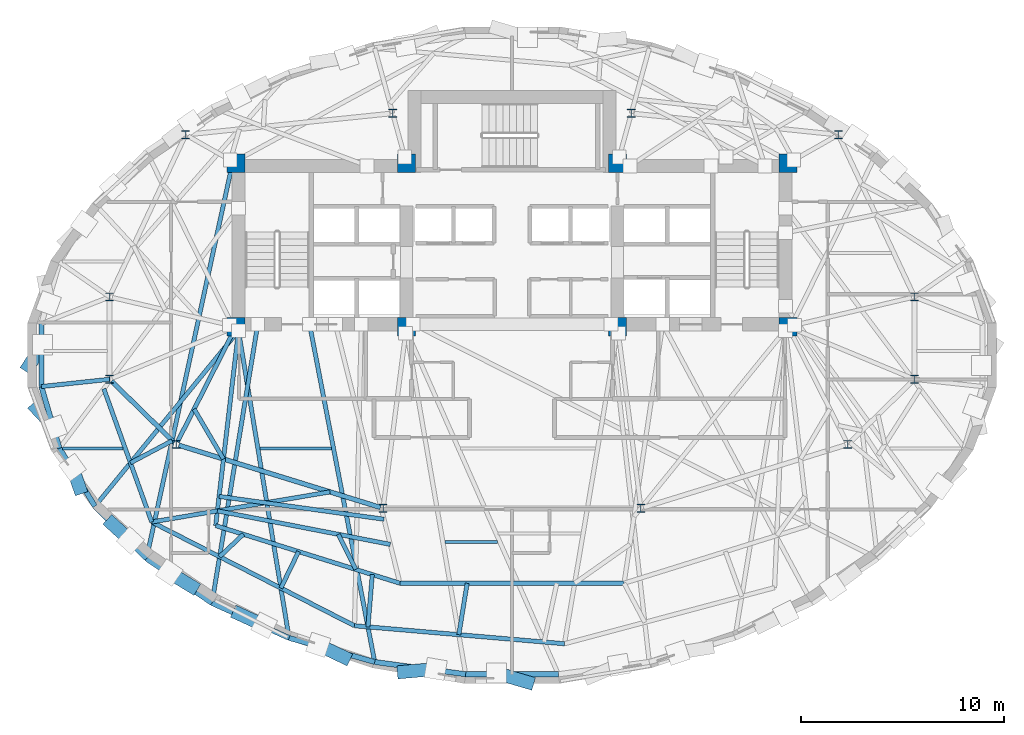
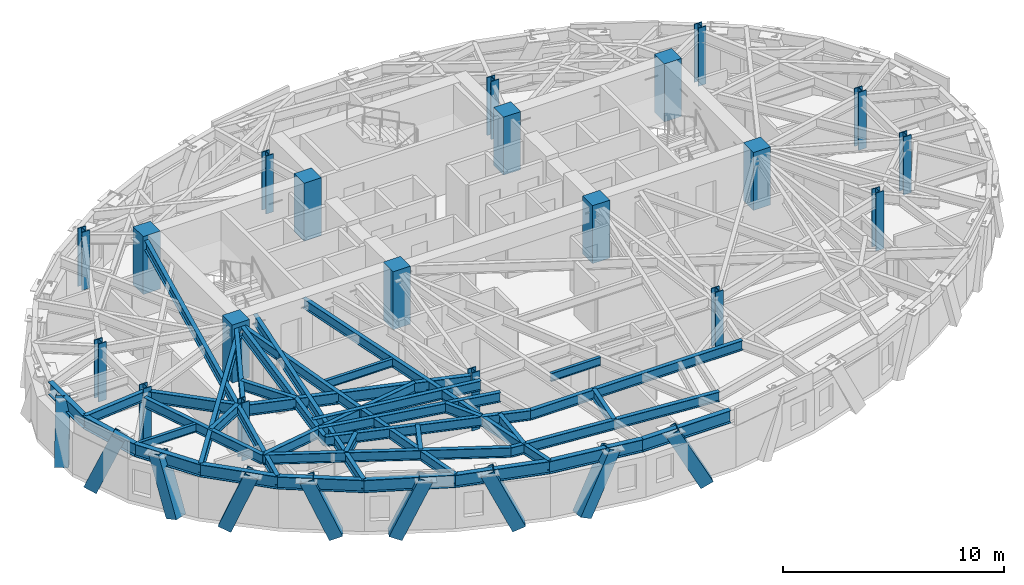
# One storey, part 1 of 12: 37 beams, 20 columns, 9 members.
"""IFC4 building model written with IfcOpenShell, lengths in metres."""

from ifc_helpers import new_model, si_unit, direction, frame, origin, origin_2d, place, context, subcontext, project, spatial, rectangle, hollow_rectangle, i_section, extrude, material, material_profile, profile_set, type_object, element, save


model = new_model("IFC4")

# Units and contexts
model_context = context("Model", 3, precision=1e-05, world=origin(), true_north=direction((0.0, 1.0)))
body_context = subcontext(model_context, "Body", "Model", "MODEL_VIEW")
ifc_project = project(units=[si_unit("LENGTHUNIT", "METRE"), si_unit("AREAUNIT", "SQUARE_METRE"), si_unit("VOLUMEUNIT", "CUBIC_METRE"), si_unit("PLANEANGLEUNIT", "RADIAN"), si_unit("MASSUNIT", "GRAM", prefix="KILO")], contexts=[model_context])

# Site, building, storey
site_placement = place(None, origin())
site = spatial("IfcSite", under=ifc_project, at=site_placement, CompositionType="ELEMENT")
building_placement = place(site_placement, origin())
building = spatial("IfcBuilding", under=site, at=building_placement, Name="Keldmark Tower", CompositionType="ELEMENT")
storey_placement = place(building_placement, frame((0.0, 0.0, 198.199951171875)))
storey = spatial("IfcBuildingStorey", under=building, at=storey_placement, Name="L55", CompositionType="ELEMENT", Elevation=198.199951171875)

# Columns
ifc_material_1 = material(Name="Concrete C50/60", Category="concrete")
ifc_material_profile_1 = material_profile(ifc_material_1, rectangle(XDim=0.89990234375, YDim=0.89990234375, at=origin_2d()), Name="RC900X900")
ifc_profile_set_1 = profile_set([ifc_material_profile_1], Name="Concrete C50/60")
column_type_1 = type_object("IfcColumnType", Name="Core Boundary Column RC900", PredefinedType="COLUMN", material=ifc_profile_set_1)
for number, where, z_axis, x_axis, name in (
    (1, (-13.60009765625, 1.39990234375, 0.0), (0.0, 0.0, 1.0), (1.0, 0.0, 0.0), "L55 Core Boundary Column CC-W1"),
    (2, (-13.60009765625, 9.449951171875, 0.0), (0.0, 0.0, 1.0), (1.0, 0.0, 0.0), "L55 Core Boundary Column CC-W2"),
    (3, (-5.199951171875, 1.39990234375, 0.0), (0.0, 0.0, 1.0), (1.0, 0.0, 0.0), "L55 Core Boundary Column CC-W3"),
    (4, (-5.199951171875, 9.449951171875, 0.0), (0.0, 0.0, 1.0), (1.0, 0.0, 0.0), "L55 Core Boundary Column CC-W4"),
    (5, (5.199951171875, 1.39990234375, 0.0), (0.0, 0.0, 1.0), (1.0, 0.0, 0.0), "L55 Core Boundary Column CC-E1"),
    (6, (5.199951171875, 9.449951171875, 0.0), (0.0, 0.0, 1.0), (1.0, 0.0, 0.0), "L55 Core Boundary Column CC-E2"),
    (7, (13.60009765625, 1.39990234375, 0.0), (0.0, 0.0, 1.0), (1.0, 0.0, 0.0), "L55 Core Boundary Column CC-E3"),
    (8, (13.60009765625, 9.449951171875, 0.0), (0.0, 0.0, 1.0), (1.0, 0.0, 0.0), "L55 Core Boundary Column CC-E4"),
):
    element("IfcColumn", number, at=place(storey_placement, frame(where, z_axis=z_axis, x_axis=x_axis)), inside=storey, type_object=column_type_1, Name=name, PredefinedType="COLUMN", context=body_context, shape_type="SweptSolid", body=[
        extrude(rectangle(XDim=0.89990234375, YDim=0.89990234375, at=origin_2d()), origin(), (0.0, 0.0, 1.0), 3.199951171875),
    ])
ifc_material_2 = material(Name="Steel ASTM A992 Grade 50", Category="steel")
ifc_material_profile_2 = material_profile(ifc_material_2, i_section(OverallWidth=0.404052734375, OverallDepth=0.406982421875, WebThickness=0.027099609375, FlangeThickness=0.043701171875, at=origin_2d()), Name="W14X233")
ifc_profile_set_2 = profile_set([ifc_material_profile_2], Name="Steel ASTM A992 Grade 50")
column_type_2 = type_object("IfcColumnType", Name="Tower Gravity Column W14X233", PredefinedType="COLUMN", material=ifc_profile_set_2)
for number, where, z_axis, x_axis, name in (
    (9, (19.828369140625, 2.869140625, 0.0), (0.0, 0.0, 1.0), (1.0, 0.0, 0.0), "L55 Tower Gravity Column TC-E1"),
    (10, (16.08154296875, 10.861083984375, 0.0), (0.0, 0.0, 1.0), (1.0, 0.0, 0.0), "L55 Tower Gravity Column TC-E4"),
    (11, (5.880126953125, 11.915283203125, 0.0), (0.0, 0.0, 1.0), (1.0, 0.0, 0.0), "L55 Tower Gravity Column TC-N2"),
    (12, (-5.880126953125, 11.915283203125, 0.0), (0.0, 0.0, 1.0), (1.0, 0.0, 0.0), "L55 Tower Gravity Column TC-N1"),
    (13, (-16.08154296875, 10.861083984375, 0.0), (0.0, 0.0, 1.0), (1.0, 0.0, 0.0), "L55 Tower Gravity Column TC-W4"),
    (14, (-19.828369140625, 2.869140625, 0.0), (0.0, 0.0, 1.0), (1.0, 0.0, 0.0), "L55 Tower Gravity Column TC-W1"),
    (15, (-19.828369140625, -1.189208984375, 0.0), (0.0, 0.0, 1.0), (1.0, 0.0, 0.0), "L55 Tower Gravity Column TC-W5"),
    (16, (-16.546630859375, -4.3984375, 0.0), (0.0, 0.0, 1.0), (1.0, 0.0, 0.0), "L55 Tower Gravity Column TC-W2"),
    (17, (-6.351318359375, -7.546142578125, 0.0), (0.0, 0.0, 1.0), (1.0, 0.0, 0.0), "L55 Tower Gravity Column TC-W3"),
    (18, (6.351318359375, -7.546142578125, 0.0), (0.0, 0.0, 1.0), (1.0, 0.0, 0.0), "L55 Tower Gravity Column TC-E3"),
    (19, (16.546630859375, -4.3984375, 0.0), (0.0, 0.0, 1.0), (1.0, 0.0, 0.0), "L55 Tower Gravity Column TC-E2"),
    (20, (19.828369140625, -1.189208984375, 0.0), (0.0, 0.0, 1.0), (1.0, 0.0, 0.0), "L55 Tower Gravity Column TC-E5"),
):
    element("IfcColumn", number, at=place(storey_placement, frame(where, z_axis=z_axis, x_axis=x_axis)), inside=storey, type_object=column_type_2, Name=name, PredefinedType="COLUMN", context=body_context, shape_type="SweptSolid", body=[
        extrude(i_section(OverallWidth=0.404052734375, OverallDepth=0.406982421875, WebThickness=0.027099609375, FlangeThickness=0.043701171875, at=origin_2d()), origin(), (0.0, 0.0, 1.0), 3.199951171875),
    ])

# Beams
ifc_material_3 = material(Name="Steel ASTM A992 Grade 50", Category="steel")
ifc_material_profile_3 = material_profile(ifc_material_3, i_section(OverallWidth=0.153076171875, OverallDepth=0.455078125, WebThickness=0.008056640625, FlangeThickness=0.01318359375, at=origin_2d()), Name="W18X40")
ifc_profile_set_3 = profile_set([ifc_material_profile_3], Name="Steel ASTM A992 Grade 50")
beam_type_1 = type_object("IfcBeamType", Name="Composite Floor Joist W18X40", PredefinedType="JOIST", material=ifc_profile_set_3)
beam_1_placement = place(storey_placement, frame((-3.310546875, -9.199951171875, 2.732666015625), z_axis=(1.0, 0.0, 0.0), x_axis=(0.0, 1.0, 0.0)))
element("IfcBeam", 21, at=beam_1_placement, inside=storey, type_object=beam_type_1, Name="L55 Composite Floor Joist J01", PredefinedType="JOIST", context=body_context, shape_type="SweptSolid", body=[
    extrude(i_section(OverallWidth=0.153076171875, OverallDepth=0.455078125, WebThickness=0.008056640625, FlangeThickness=0.01318359375, at=origin_2d()), origin(), (0.0, 0.0, 1.0), 2.60400390625),
])
beam_2_placement = place(storey_placement, frame((-22.148193359375, -4.60009765625, 2.732666015625), z_axis=(1.0, 0.0, 0.0), x_axis=(0.0, 1.0, 0.0)))
element("IfcBeam", 22, at=beam_2_placement, inside=storey, type_object=beam_type_1, Name="L55 Composite Floor Joist J03", PredefinedType="JOIST", context=body_context, shape_type="SweptSolid", body=[
    extrude(i_section(OverallWidth=0.153076171875, OverallDepth=0.455078125, WebThickness=0.008056640625, FlangeThickness=0.01318359375, at=origin_2d()), origin(), (0.0, 0.0, 1.0), 2.992431640625),
])
beam_3_placement = place(storey_placement, frame((-12.4228515625, -4.60009765625, 2.732666015625), z_axis=(1.0, 0.0, 0.0), x_axis=(0.0, 1.0, 0.0)))
element("IfcBeam", 23, at=beam_3_placement, inside=storey, type_object=beam_type_1, Name="L55 Composite Floor Joist J04", PredefinedType="JOIST", context=body_context, shape_type="SweptSolid", body=[
    extrude(i_section(OverallWidth=0.153076171875, OverallDepth=0.455078125, WebThickness=0.008056640625, FlangeThickness=0.01318359375, at=origin_2d()), origin(), (0.0, 0.0, 1.0), 3.53173828125),
])

# Members
ifc_material_4 = material(Name="Steel ASTM A572 Grade 50", Category="steel")
ifc_material_profile_4 = material_profile(ifc_material_4, hollow_rectangle(XDim=0.64990234375, YDim=0.64990234375, WallThickness=0.0400390625, at=origin_2d()), Name="BOX650X650X40")
ifc_profile_set_4 = profile_set([ifc_material_profile_4], Name="Steel ASTM A572 Grade 50")
member_type = type_object("IfcMemberType", Name="Diagrid Zone 3 Brace BOX650X650X40", PredefinedType="BRACE", material=ifc_profile_set_4)
member_1_placement = place(storey_placement, frame((-23.8046875, -0.537109375, -0.260009765625), z_axis=(0.202461489858, 0.313446333992, 0.927771922851), x_axis=(-0.840005912308, 0.542577245456, 0.0)))
element("IfcMember", 24, at=member_1_placement, inside=storey, type_object=member_type, Name="L55 Perimeter Diagrid Brace 08B", PredefinedType="BRACE", context=body_context, shape_type="SweptSolid", body=[
    extrude(hollow_rectangle(XDim=0.64990234375, YDim=0.64990234375, WallThickness=0.0400390625, at=origin_2d()), origin(), (0.0, 0.0, 1.0), 3.341552734375),
])
member_2_placement = place(storey_placement, frame((-23.425048828125, -2.6142578125, -0.260009765625), z_axis=(0.264919918302, -0.283573183783, 0.921630992494), x_axis=(0.730731768361, 0.682664692736, 0.0)))
element("IfcMember", 25, at=member_2_placement, inside=storey, type_object=member_type, Name="L55 Perimeter Diagrid Brace 09A", PredefinedType="BRACE", context=body_context, shape_type="SweptSolid", body=[
    extrude(hollow_rectangle(XDim=0.64990234375, YDim=0.64990234375, WallThickness=0.0400390625, at=origin_2d()), origin(), (0.0, 0.0, 1.0), 3.36376953125),
])
member_3_placement = place(storey_placement, frame((-21.306396484375, -6.537109375, -0.260009765625), z_axis=(-0.106794323637, 0.309145380062, 0.944999527209), x_axis=(-0.945191482252, -0.32651655682, 0.0)))
element("IfcMember", 26, at=member_3_placement, inside=storey, type_object=member_type, Name="L55 Perimeter Diagrid Brace 09B", PredefinedType="BRACE", context=body_context, shape_type="SweptSolid", body=[
    extrude(hollow_rectangle(XDim=0.64990234375, YDim=0.64990234375, WallThickness=0.0400390625, at=origin_2d()), origin(), (0.0, 0.0, 1.0), 3.280517578125),
])
member_4_placement = place(storey_placement, frame((-19.718994140625, -8.29736328125, -0.260009765625), z_axis=(0.273935232909, -0.251344897449, 0.928323882434), x_axis=(0.67607183927, 0.736835713131, 0.0)))
element("IfcMember", 27, at=member_4_placement, inside=storey, type_object=member_type, Name="L55 Perimeter Diagrid Brace 10A", PredefinedType="BRACE", context=body_context, shape_type="SweptSolid", body=[
    extrude(hollow_rectangle(XDim=0.64990234375, YDim=0.64990234375, WallThickness=0.0400390625, at=origin_2d()), origin(), (0.0, 0.0, 1.0), 3.33935546875),
])
member_5_placement = place(storey_placement, frame((-15.75732421875, -11.40380859375, -0.260009765625), z_axis=(-0.335469878195, 0.204236842943, 0.919645188542), x_axis=(-0.520017145547, -0.854155822047, 0.0)))
element("IfcMember", 28, at=member_5_placement, inside=storey, type_object=member_type, Name="L55 Perimeter Diagrid Brace 10B", PredefinedType="BRACE", context=body_context, shape_type="SweptSolid", body=[
    extrude(hollow_rectangle(XDim=0.64990234375, YDim=0.64990234375, WallThickness=0.0400390625, at=origin_2d()), origin(), (0.0, 0.0, 1.0), 3.370849609375),
])
member_6_placement = place(storey_placement, frame((-13.467529296875, -12.740478515625, -0.260009765625), z_axis=(0.370117613048, -0.169124685768, 0.913460340231), x_axis=(0.41561353109, 0.909541308999, 0.0)))
element("IfcMember", 29, at=member_6_placement, inside=storey, type_object=member_type, Name="L55 Perimeter Diagrid Brace 11A", PredefinedType="BRACE", context=body_context, shape_type="SweptSolid", body=[
    extrude(hollow_rectangle(XDim=0.64990234375, YDim=0.64990234375, WallThickness=0.0400390625, at=origin_2d()), origin(), (0.0, 0.0, 1.0), 3.393798828125),
])
member_7_placement = place(storey_placement, frame((-8.252685546875, -14.892578125, -0.260009765625), z_axis=(-0.379356211137, 0.180315697192, 0.907510393559), x_axis=(-0.429292808438, -0.903165369477, 0.0)))
element("IfcMember", 30, at=member_7_placement, inside=storey, type_object=member_type, Name="L55 Perimeter Diagrid Brace 11B", PredefinedType="BRACE", context=body_context, shape_type="SweptSolid", body=[
    extrude(hollow_rectangle(XDim=0.64990234375, YDim=0.64990234375, WallThickness=0.0400390625, at=origin_2d()), origin(), (0.0, 0.0, 1.0), 3.416015625),
])
member_8_placement = place(storey_placement, frame((-5.36181640625, -15.60693359375, -0.260009765625), z_axis=(0.45871670999, 0.040614813853, 0.887653883488), x_axis=(-0.088195058336, 0.996103223409, 0.0)))
element("IfcMember", 31, at=member_8_placement, inside=storey, type_object=member_type, Name="L55 Perimeter Diagrid Brace 12A", PredefinedType="BRACE", context=body_context, shape_type="SweptSolid", body=[
    extrude(hollow_rectangle(XDim=0.64990234375, YDim=0.64990234375, WallThickness=0.0400390625, at=origin_2d()), origin(), (0.0, 0.0, 1.0), 3.492431640625),
])
member_9_placement = place(storey_placement, frame((0.789306640625, -16.119384765625, -0.260009765625), z_axis=(-0.442172343698, 0.13026857099, 0.887419696582), x_axis=(-0.282601329216, -0.95923745169, 0.0)))
element("IfcMember", 32, at=member_9_placement, inside=storey, type_object=member_type, Name="L55 Perimeter Diagrid Brace 12B", PredefinedType="BRACE", context=body_context, shape_type="SweptSolid", body=[
    extrude(hollow_rectangle(XDim=0.64990234375, YDim=0.64990234375, WallThickness=0.0400390625, at=origin_2d()), origin(), (0.0, 0.0, 1.0), 3.493408203125),
])

# Beams
ifc_material_5 = material(Name="Steel ASTM A992 Grade 50", Category="steel")
ifc_material_profile_5 = material_profile(ifc_material_5, i_section(OverallWidth=0.22900390625, OverallDepth=0.612060546875, WebThickness=0.011962890625, FlangeThickness=0.01953125, at=origin_2d()), Name="W24X84")
ifc_profile_set_5 = profile_set([ifc_material_profile_5], Name="Steel ASTM A992 Grade 50")
beam_type_2 = type_object("IfcBeamType", Name="Primary Floor Girder W24X84", PredefinedType="BEAM", material=ifc_profile_set_5)
beam_4_placement = place(storey_placement, frame((-19.728271484375, -1.287109375, 2.654052734375), z_axis=(0.714964509815, -0.699160746684, 0.0), x_axis=(0.699160746684, 0.714964509815, 0.0)))
element("IfcBeam", 33, at=beam_4_placement, inside=storey, type_object=beam_type_2, Name="L55 Floor Ring Girder FG-R07", PredefinedType="BEAM", context=body_context, shape_type="SweptSolid", body=[
    extrude(i_section(OverallWidth=0.22900390625, OverallDepth=0.612060546875, WebThickness=0.011962890625, FlangeThickness=0.01953125, at=origin_2d()), origin(), (0.0, 0.0, 1.0), 4.31005859375),
])
beam_5_placement = place(storey_placement, frame((-16.412841796875, -4.439697265625, 2.654052734375), z_axis=(0.955494563145, -0.295008711398, 0.0), x_axis=(0.295008711398, 0.955494563145, 0.0)))
element("IfcBeam", 34, at=beam_5_placement, inside=storey, type_object=beam_type_2, Name="L55 Floor Ring Girder FG-R08", PredefinedType="BEAM", context=body_context, shape_type="SweptSolid", body=[
    extrude(i_section(OverallWidth=0.22900390625, OverallDepth=0.612060546875, WebThickness=0.011962890625, FlangeThickness=0.01953125, at=origin_2d()), origin(), (0.0, 0.0, 1.0), 10.39013671875),
])
ifc_material_6 = material(Name="Steel ASTM A992 Grade 50", Category="steel")
ifc_material_profile_6 = material_profile(ifc_material_6, i_section(OverallWidth=0.2099609375, OverallDepth=0.537109375, WebThickness=0.010986328125, FlangeThickness=0.017333984375, at=origin_2d()), Name="W21X68")
ifc_profile_set_6 = profile_set([ifc_material_profile_6], Name="Steel ASTM A992 Grade 50")
beam_type_3 = type_object("IfcBeamType", Name="Radial Tie Girder W21X68", PredefinedType="BEAM", material=ifc_profile_set_6)
beam_6_placement = place(storey_placement, frame((-16.4833984375, -4.273681640625, 2.691650390625), z_axis=(0.453036691775, 0.891491870914, 0.0), x_axis=(-0.891491870914, 0.453036691775, 0.0)))
element("IfcBeam", 35, at=beam_6_placement, inside=storey, type_object=beam_type_3, Name="L55 Floor Radial Girder FG-C08", PredefinedType="BEAM", context=body_context, shape_type="SweptSolid", body=[
    extrude(i_section(OverallWidth=0.2099609375, OverallDepth=0.537109375, WebThickness=0.010986328125, FlangeThickness=0.017333984375, at=origin_2d()), origin(), (0.0, 0.0, 1.0), 6.044189453125),
])
beam_7_placement = place(storey_placement, frame((-15.661865234375, -2.6572265625, 2.691650390625), z_axis=(0.506739777722, -0.862099064884, 0.0), x_axis=(0.862099064884, 0.506739777722, 0.0)))
element("IfcBeam", 36, at=beam_7_placement, inside=storey, type_object=beam_type_3, Name="L55 Framing Pin Header PH-001", PredefinedType="BEAM", context=body_context, shape_type="SweptSolid", body=[
    extrude(i_section(OverallWidth=0.2099609375, OverallDepth=0.537109375, WebThickness=0.010986328125, FlangeThickness=0.017333984375, at=origin_2d()), origin(), (0.0, 0.0, 1.0), 2.8544921875),
])
beam_8_placement = place(storey_placement, frame((-13.47509765625, 1.199951171875, 2.691650390625), z_axis=(-0.1163811046, -0.993204630724, 0.0), x_axis=(0.993204630724, -0.1163811046, 0.0)))
element("IfcBeam", 37, at=beam_8_placement, inside=storey, type_object=beam_type_3, Name="L55 Sub-Ring Step Girder STP1-M08", PredefinedType="BEAM", context=body_context, shape_type="SweptSolid", body=[
    extrude(i_section(OverallWidth=0.2099609375, OverallDepth=0.537109375, WebThickness=0.010986328125, FlangeThickness=0.017333984375, at=origin_2d()), origin(), (0.0, 0.0, 1.0), 9.66650390625),
])
beam_9_placement = place(storey_placement, frame((-14.431396484375, -6.960693359375, 2.691650390625), z_axis=(0.990567280551, -0.13702723343, 0.0), x_axis=(0.13702723343, 0.990567280551, 0.0)))
element("IfcBeam", 38, at=beam_9_placement, inside=storey, type_object=beam_type_3, Name="L55 Framing Pin Header PH-002", PredefinedType="BEAM", context=body_context, shape_type="SweptSolid", body=[
    extrude(i_section(OverallWidth=0.2099609375, OverallDepth=0.537109375, WebThickness=0.010986328125, FlangeThickness=0.017333984375, at=origin_2d()), origin(), (0.0, 0.0, 1.0), 8.201171875),
])
beam_10_placement = place(storey_placement, frame((-14.60009765625, -8.40087890625, 2.691650390625), z_axis=(0.954455767336, -0.298352456331, 0.0), x_axis=(0.298352456331, 0.954455767336, 0.0)))
element("IfcBeam", 39, at=beam_10_placement, inside=storey, type_object=beam_type_3, Name="L55 Perimeter Collector Ring Beam CRG1-M08", PredefinedType="BEAM", context=body_context, shape_type="SweptSolid", body=[
    extrude(i_section(OverallWidth=0.2099609375, OverallDepth=0.537109375, WebThickness=0.010986328125, FlangeThickness=0.017333984375, at=origin_2d()), origin(), (0.0, 0.0, 1.0), 9.510986328125),
])
beam_11_placement = place(storey_placement, frame((-5.522216796875, -11.238525390625, 2.691650390625), z_axis=(1.0, 0.0, 0.0), x_axis=(0.0, 1.0, 0.0)))
element("IfcBeam", 40, at=beam_11_placement, inside=storey, type_object=beam_type_3, Name="L55 Perimeter Collector Ring Beam CRG1-M09", PredefinedType="BEAM", context=body_context, shape_type="SweptSolid", body=[
    extrude(i_section(OverallWidth=0.2099609375, OverallDepth=0.537109375, WebThickness=0.010986328125, FlangeThickness=0.017333984375, at=origin_2d()), origin(), (0.0, 0.0, 1.0), 11.04443359375),
])
beam_12_placement = place(storey_placement, frame((-5.998779296875, -9.32421875, 2.691650390625), z_axis=(-0.981755452013, 0.190147922533, 0.0), x_axis=(-0.190147922533, -0.981755452013, 0.0)))
element("IfcBeam", 41, at=beam_12_placement, inside=storey, type_object=beam_type_3, Name="L55 Framing Pin Header PH-005", PredefinedType="BEAM", context=body_context, shape_type="SweptSolid", body=[
    extrude(i_section(OverallWidth=0.2099609375, OverallDepth=0.537109375, WebThickness=0.010986328125, FlangeThickness=0.017333984375, at=origin_2d()), origin(), (0.0, 0.0, 1.0), 8.67431640625),
])
beam_13_placement = place(storey_placement, frame((-8.967041015625, -6.738525390625, 2.691650390625), z_axis=(-0.986053346326, -0.166429559274, 0.0), x_axis=(0.166429559274, -0.986053346326, 0.0)))
element("IfcBeam", 42, at=beam_13_placement, inside=storey, type_object=beam_type_3, Name="L55 Sub-Ring Step Girder STP2-M08", PredefinedType="BEAM", context=body_context, shape_type="SweptSolid", body=[
    extrude(i_section(OverallWidth=0.2099609375, OverallDepth=0.537109375, WebThickness=0.010986328125, FlangeThickness=0.017333984375, at=origin_2d()), origin(), (0.0, 0.0, 1.0), 8.90869140625),
])
beam_14_placement = place(storey_placement, frame((-8.5537109375, -8.829345703125, 2.691650390625), z_axis=(0.443819741011, -0.896116084829, 0.0), x_axis=(0.896116084829, 0.443819741011, 0.0)))
element("IfcBeam", 43, at=beam_14_placement, inside=storey, type_object=beam_type_3, Name="L55 Framing Pin Header PH-006", PredefinedType="BEAM", context=body_context, shape_type="SweptSolid", body=[
    extrude(i_section(OverallWidth=0.2099609375, OverallDepth=0.537109375, WebThickness=0.010986328125, FlangeThickness=0.017333984375, at=origin_2d()), origin(), (0.0, 0.0, 1.0), 1.9296875),
])
beam_15_placement = place(storey_placement, frame((-17.75146484375, -8.22119140625, 2.691650390625), z_axis=(0.890229496197, -0.45551228754, 0.0), x_axis=(0.45551228754, 0.890229496197, 0.0)))
element("IfcBeam", 44, at=beam_15_placement, inside=storey, type_object=beam_type_3, Name="L55 Perimeter Collector Ring Beam CRG2-M08", PredefinedType="BEAM", context=body_context, shape_type="SweptSolid", body=[
    extrude(i_section(OverallWidth=0.2099609375, OverallDepth=0.537109375, WebThickness=0.010986328125, FlangeThickness=0.017333984375, at=origin_2d()), origin(), (0.0, 0.0, 1.0), 11.2236328125),
])
beam_16_placement = place(storey_placement, frame((-7.759765625, -13.333740234375, 2.691650390625), z_axis=(0.99634504792, -0.085419819046, 0.0), x_axis=(0.085419819046, 0.99634504792, 0.0)))
element("IfcBeam", 45, at=beam_16_placement, inside=storey, type_object=beam_type_3, Name="L55 Perimeter Collector Ring Beam CRG2-M09", PredefinedType="BEAM", context=body_context, shape_type="SweptSolid", body=[
    extrude(i_section(OverallWidth=0.2099609375, OverallDepth=0.537109375, WebThickness=0.010986328125, FlangeThickness=0.017333984375, at=origin_2d()), origin(), (0.0, 0.0, 1.0), 10.380615234375),
])
beam_17_placement = place(storey_placement, frame((-19.828369140625, -1.189208984375, 2.691650390625), z_axis=(-0.994326636507, -0.106369826231, 0.0), x_axis=(0.106369826231, -0.994326636507, 0.0)))
element("IfcBeam", 46, at=beam_17_placement, inside=storey, type_object=beam_type_3, Name="L55 Perimeter Column Bracket RT-17", PredefinedType="BEAM", context=body_context, shape_type="SweptSolid", body=[
    extrude(i_section(OverallWidth=0.2099609375, OverallDepth=0.537109375, WebThickness=0.010986328125, FlangeThickness=0.017333984375, at=origin_2d()), origin(), (0.0, 0.0, 1.0), 3.378662109375),
])
beam_18_placement = place(storey_placement, frame((-17.75146484375, -8.22119140625, 2.691650390625), z_axis=(-0.338309160932, 0.941035021468, 0.0), x_axis=(-0.941035021468, -0.338309160932, 0.0)))
element("IfcBeam", 47, at=beam_18_placement, inside=storey, type_object=beam_type_3, Name="L55 Framing Pin Header PH-018", PredefinedType="BEAM", context=body_context, shape_type="SweptSolid", body=[
    extrude(i_section(OverallWidth=0.2099609375, OverallDepth=0.537109375, WebThickness=0.010986328125, FlangeThickness=0.017333984375, at=origin_2d()), origin(), (0.0, 0.0, 1.0), 6.974853515625),
])
beam_19_placement = place(storey_placement, frame((-13.800048828125, 9.324951171875, 2.691650390625), z_axis=(-0.212659470403, -0.977126373428, 0.0), x_axis=(0.977126373428, -0.212659470403, 0.0)))
element("IfcBeam", 48, at=beam_19_placement, inside=storey, type_object=beam_type_3, Name="L55 Perimeter Radial Tie Girder RT-20", PredefinedType="BEAM", context=body_context, shape_type="SweptSolid", body=[
    extrude(i_section(OverallWidth=0.2099609375, OverallDepth=0.537109375, WebThickness=0.010986328125, FlangeThickness=0.017333984375, at=origin_2d()), origin(), (0.0, 0.0, 1.0), 19.80126953125),
])
beam_20_placement = place(storey_placement, frame((-13.23828125, -8.826416015625, 2.691650390625), z_axis=(-0.72618788094, -0.687496299318, 0.0), x_axis=(0.687496299318, -0.72618788094, 0.0)))
element("IfcBeam", 49, at=beam_20_placement, inside=storey, type_object=beam_type_3, Name="L55 Framing Pin Header PH-019", PredefinedType="BEAM", context=body_context, shape_type="SweptSolid", body=[
    extrude(i_section(OverallWidth=0.2099609375, OverallDepth=0.537109375, WebThickness=0.010986328125, FlangeThickness=0.017333984375, at=origin_2d()), origin(), (0.0, 0.0, 1.0), 1.609130859375),
])
beam_21_placement = place(storey_placement, frame((-12.52490234375, 1.52490234375, 2.691650390625), z_axis=(-0.162080998635, -0.986777457121, 0.0), x_axis=(0.986777457121, -0.162080998635, 0.0)))
element("IfcBeam", 50, at=beam_21_placement, inside=storey, type_object=beam_type_3, Name="L55 Perimeter Radial Tie Girder RT-21", PredefinedType="BEAM", context=body_context, shape_type="SweptSolid", body=[
    extrude(i_section(OverallWidth=0.2099609375, OverallDepth=0.537109375, WebThickness=0.010986328125, FlangeThickness=0.017333984375, at=origin_2d()), origin(), (0.0, 0.0, 1.0), 13.922607421875),
])
beam_22_placement = place(storey_placement, frame((-10.514892578125, -9.677734375, 2.691650390625), z_axis=(-0.436489119466, -0.899709535677, 0.0), x_axis=(0.899709535677, -0.436489119466, 0.0)))
element("IfcBeam", 51, at=beam_22_placement, inside=storey, type_object=beam_type_3, Name="L55 Framing Pin Header PH-020", PredefinedType="BEAM", context=body_context, shape_type="SweptSolid", body=[
    extrude(i_section(OverallWidth=0.2099609375, OverallDepth=0.537109375, WebThickness=0.010986328125, FlangeThickness=0.017333984375, at=origin_2d()), origin(), (0.0, 0.0, 1.0), 2.000244140625),
])
beam_23_placement = place(storey_placement, frame((-13.47509765625, 1.199951171875, 2.691650390625), z_axis=(0.162452448919, -0.986716373554, 0.0), x_axis=(0.986716373554, 0.162452448919, 0.0)))
element("IfcBeam", 52, at=beam_23_placement, inside=storey, type_object=beam_type_3, Name="L55 Perimeter Radial Tie Girder RT-22", PredefinedType="BEAM", context=body_context, shape_type="SweptSolid", body=[
    extrude(i_section(OverallWidth=0.2099609375, OverallDepth=0.537109375, WebThickness=0.010986328125, FlangeThickness=0.017333984375, at=origin_2d()), origin(), (0.0, 0.0, 1.0), 15.338134765625),
])
beam_24_placement = place(storey_placement, frame((-6.8837890625, -10.81298828125, 2.691650390625), z_axis=(-0.082498644489, -0.996591176791, 0.0), x_axis=(0.996591176791, -0.082498644489, 0.0)))
element("IfcBeam", 53, at=beam_24_placement, inside=storey, type_object=beam_type_3, Name="L55 Framing Pin Header PH-021", PredefinedType="BEAM", context=body_context, shape_type="SweptSolid", body=[
    extrude(i_section(OverallWidth=0.2099609375, OverallDepth=0.537109375, WebThickness=0.010986328125, FlangeThickness=0.017333984375, at=origin_2d()), origin(), (0.0, 0.0, 1.0), 2.58642578125),
])
beam_25_placement = place(storey_placement, frame((-9.97509765625, 1.52490234375, 2.691650390625), z_axis=(0.189447775814, -0.981890798531, 0.0), x_axis=(0.981890798531, 0.189447775814, 0.0)))
element("IfcBeam", 54, at=beam_25_placement, inside=storey, type_object=beam_type_3, Name="L55 Perimeter Radial Tie Girder RT-23", PredefinedType="BEAM", context=body_context, shape_type="SweptSolid", body=[
    extrude(i_section(OverallWidth=0.2099609375, OverallDepth=0.537109375, WebThickness=0.010986328125, FlangeThickness=0.017333984375, at=origin_2d()), origin(), (0.0, 0.0, 1.0), 16.951416015625),
])
beam_26_placement = place(storey_placement, frame((-2.208984375, -11.238525390625, 2.691650390625), z_axis=(-0.159850914059, -0.987141167855, 0.0), x_axis=(0.987141167855, -0.159850914059, 0.0)))
element("IfcBeam", 55, at=beam_26_placement, inside=storey, type_object=beam_type_3, Name="L55 Framing Pin Header PH-022", PredefinedType="BEAM", context=body_context, shape_type="SweptSolid", body=[
    extrude(i_section(OverallWidth=0.2099609375, OverallDepth=0.537109375, WebThickness=0.010986328125, FlangeThickness=0.017333984375, at=origin_2d()), origin(), (0.0, 0.0, 1.0), 2.56884765625),
])
beam_27_placement = place(storey_placement, frame((-16.747802734375, -4.218994140625, 2.691650390625), z_axis=(-0.883137498272, -0.469114228249, 0.0), x_axis=(0.469114228249, -0.883137498272, 0.0)))
element("IfcBeam", 56, at=beam_27_placement, inside=storey, type_object=beam_type_3, Name="L55 Framing Pin Header PH-031", PredefinedType="BEAM", context=body_context, shape_type="SweptSolid", body=[
    extrude(i_section(OverallWidth=0.2099609375, OverallDepth=0.537109375, WebThickness=0.010986328125, FlangeThickness=0.017333984375, at=origin_2d()), origin(), (0.0, 0.0, 1.0), 2.322265625),
])
beam_28_placement = place(storey_placement, frame((-13.47509765625, 1.199951171875, 2.691650390625), z_axis=(-0.633137828622, -0.77403907522, 0.0), x_axis=(0.77403907522, -0.633137828622, 0.0)))
element("IfcBeam", 57, at=beam_28_placement, inside=storey, type_object=beam_type_3, Name="L55 Perimeter Radial Tie Girder RT-19R", PredefinedType="BEAM", context=body_context, shape_type="SweptSolid", body=[
    extrude(i_section(OverallWidth=0.2099609375, OverallDepth=0.537109375, WebThickness=0.010986328125, FlangeThickness=0.017333984375, at=origin_2d()), origin(), (0.0, 0.0, 1.0), 11.172607421875),
])
ifc_material_7 = material(Name="Steel ASTM A992 Grade 50", Category="steel")
ifc_material_profile_7 = material_profile(ifc_material_7, i_section(OverallWidth=0.256103515625, OverallDepth=0.693115234375, WebThickness=0.014404296875, FlangeThickness=0.023681640625, at=origin_2d()), Name="W27X114")
ifc_profile_set_7 = profile_set([ifc_material_profile_7], Name="Steel ASTM A992 Grade 50")
beam_type_4 = type_object("IfcBeamType", Name="Spandrel Ring Beam W27X114", PredefinedType="SPANDREL", material=ifc_profile_set_7)
beam_29_placement = place(storey_placement, frame((-23.187744140625, 1.548583984375, 2.613525390625), z_axis=(0.0, -1.0, 0.0), x_axis=(1.0, 0.0, 0.0)))
element("IfcBeam", 58, at=beam_29_placement, inside=storey, type_object=beam_type_4, Name="L55 Perimeter Spandrel Ring Beam SRB-16", PredefinedType="SPANDREL", context=body_context, shape_type="SweptSolid", body=[
    extrude(i_section(OverallWidth=0.256103515625, OverallDepth=0.693115234375, WebThickness=0.014404296875, FlangeThickness=0.023681640625, at=origin_2d()), origin(), (0.0, 0.0, 1.0), 3.09716796875),
])
beam_30_placement = place(storey_placement, frame((-23.187744140625, -1.548583984375, 2.613525390625), z_axis=(0.281477355005, -0.959567870773, 0.0), x_axis=(0.959567870773, 0.281477355005, 0.0)))
element("IfcBeam", 59, at=beam_30_placement, inside=storey, type_object=beam_type_4, Name="L55 Perimeter Spandrel Ring Beam SRB-17", PredefinedType="SPANDREL", context=body_context, shape_type="SweptSolid", body=[
    extrude(i_section(OverallWidth=0.256103515625, OverallDepth=0.693115234375, WebThickness=0.014404296875, FlangeThickness=0.023681640625, at=origin_2d()), origin(), (0.0, 0.0, 1.0), 3.165771484375),
])
beam_31_placement = place(storey_placement, frame((-22.296630859375, -4.58642578125, 2.613525390625), z_axis=(0.521246781142, -0.853405995497, 0.0), x_axis=(0.853405995497, 0.521246781142, 0.0)))
element("IfcBeam", 60, at=beam_31_placement, inside=storey, type_object=beam_type_4, Name="L55 Perimeter Spandrel Ring Beam SRB-18", PredefinedType="SPANDREL", context=body_context, shape_type="SweptSolid", body=[
    extrude(i_section(OverallWidth=0.256103515625, OverallDepth=0.693115234375, WebThickness=0.014404296875, FlangeThickness=0.023681640625, at=origin_2d()), origin(), (0.0, 0.0, 1.0), 3.35302734375),
])
beam_32_placement = place(storey_placement, frame((-20.548828125, -7.447998046875, 2.613525390625), z_axis=(0.701888492814, -0.712286840855, 0.0), x_axis=(0.712286840855, 0.701888492814, 0.0)))
element("IfcBeam", 61, at=beam_32_placement, inside=storey, type_object=beam_type_4, Name="L55 Perimeter Spandrel Ring Beam SRB-19", PredefinedType="SPANDREL", context=body_context, shape_type="SweptSolid", body=[
    extrude(i_section(OverallWidth=0.256103515625, OverallDepth=0.693115234375, WebThickness=0.014404296875, FlangeThickness=0.023681640625, at=origin_2d()), origin(), (0.0, 0.0, 1.0), 3.61572265625),
])
beam_33_placement = place(storey_placement, frame((-18.010986328125, -10.0234375, 2.613525390625), z_axis=(0.827625248145, -0.5612810781, 0.0), x_axis=(0.5612810781, 0.827625248145, 0.0)))
element("IfcBeam", 62, at=beam_33_placement, inside=storey, type_object=beam_type_4, Name="L55 Perimeter Spandrel Ring Beam SRB-20", PredefinedType="SPANDREL", context=body_context, shape_type="SweptSolid", body=[
    extrude(i_section(OverallWidth=0.256103515625, OverallDepth=0.693115234375, WebThickness=0.014404296875, FlangeThickness=0.023681640625, at=origin_2d()), origin(), (0.0, 0.0, 1.0), 3.902099609375),
])
beam_34_placement = place(storey_placement, frame((-14.781494140625, -12.213623046875, 2.613525390625), z_axis=(0.910881102331, -0.412668895624, 0.0), x_axis=(0.412668895624, 0.910881102331, 0.0)))
element("IfcBeam", 63, at=beam_34_placement, inside=storey, type_object=beam_type_4, Name="L55 Perimeter Spandrel Ring Beam SRB-21", PredefinedType="SPANDREL", context=body_context, shape_type="SweptSolid", body=[
    extrude(i_section(OverallWidth=0.256103515625, OverallDepth=0.693115234375, WebThickness=0.014404296875, FlangeThickness=0.023681640625, at=origin_2d()), origin(), (0.0, 0.0, 1.0), 4.169677734375),
])
beam_35_placement = place(storey_placement, frame((-10.9833984375, -13.934326171875, 2.613525390625), z_axis=(0.962739808547, -0.270429401209, 0.0), x_axis=(0.270429401209, 0.962739808547, 0.0)))
element("IfcBeam", 64, at=beam_35_placement, inside=storey, type_object=beam_type_4, Name="L55 Perimeter Spandrel Ring Beam SRB-22", PredefinedType="SPANDREL", context=body_context, shape_type="SweptSolid", body=[
    extrude(i_section(OverallWidth=0.256103515625, OverallDepth=0.693115234375, WebThickness=0.014404296875, FlangeThickness=0.023681640625, at=origin_2d()), origin(), (0.0, 0.0, 1.0), 4.383056640625),
])
beam_36_placement = place(storey_placement, frame((-6.763671875, -15.11962890625, 2.613525390625), z_axis=(0.991026298245, -0.133667034777, 0.0), x_axis=(0.133667034777, 0.991026298245, 0.0)))
element("IfcBeam", 65, at=beam_36_placement, inside=storey, type_object=beam_type_4, Name="L55 Perimeter Spandrel Ring Beam SRB-23", PredefinedType="SPANDREL", context=body_context, shape_type="SweptSolid", body=[
    extrude(i_section(OverallWidth=0.256103515625, OverallDepth=0.693115234375, WebThickness=0.014404296875, FlangeThickness=0.023681640625, at=origin_2d()), origin(), (0.0, 0.0, 1.0), 4.5205078125),
])
beam_37_placement = place(storey_placement, frame((-2.28369140625, -15.723876953125, 2.613525390625), z_axis=(1.0, 0.0, 0.0), x_axis=(0.0, 1.0, 0.0)))
element("IfcBeam", 66, at=beam_37_placement, inside=storey, type_object=beam_type_4, Name="L55 Perimeter Spandrel Ring Beam SRB-24", PredefinedType="SPANDREL", context=body_context, shape_type="SweptSolid", body=[
    extrude(i_section(OverallWidth=0.256103515625, OverallDepth=0.693115234375, WebThickness=0.014404296875, FlangeThickness=0.023681640625, at=origin_2d()), origin(), (0.0, 0.0, 1.0), 4.5673828125),
])

save(model, "model.ifc")
